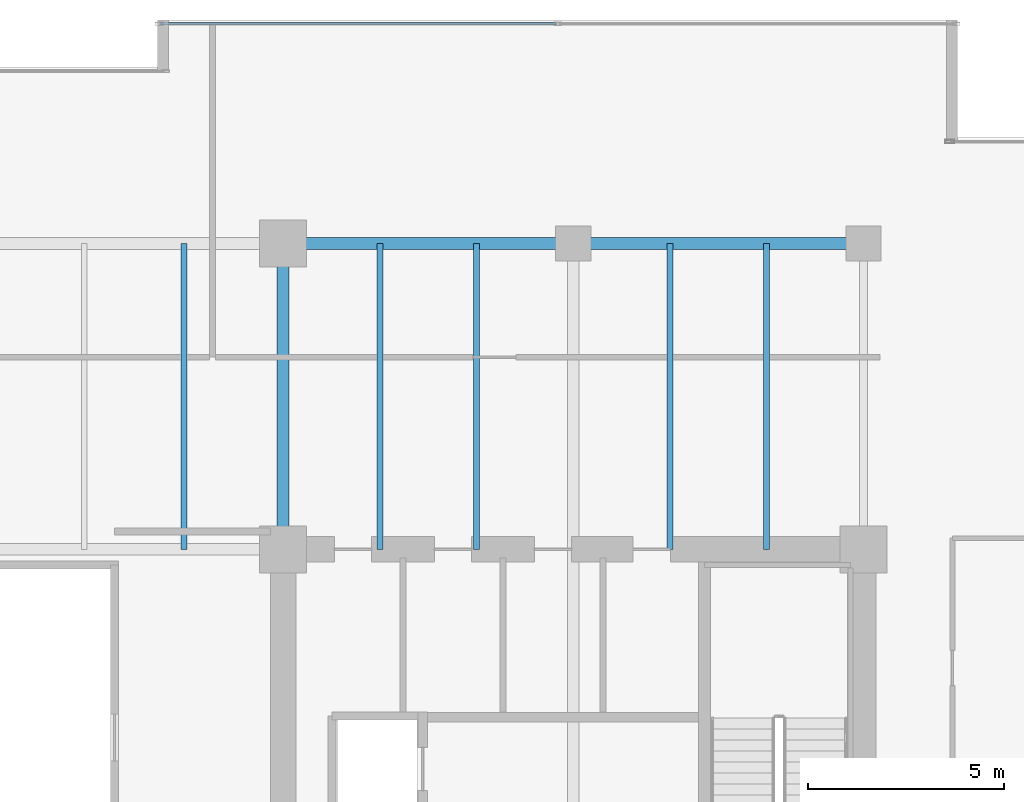
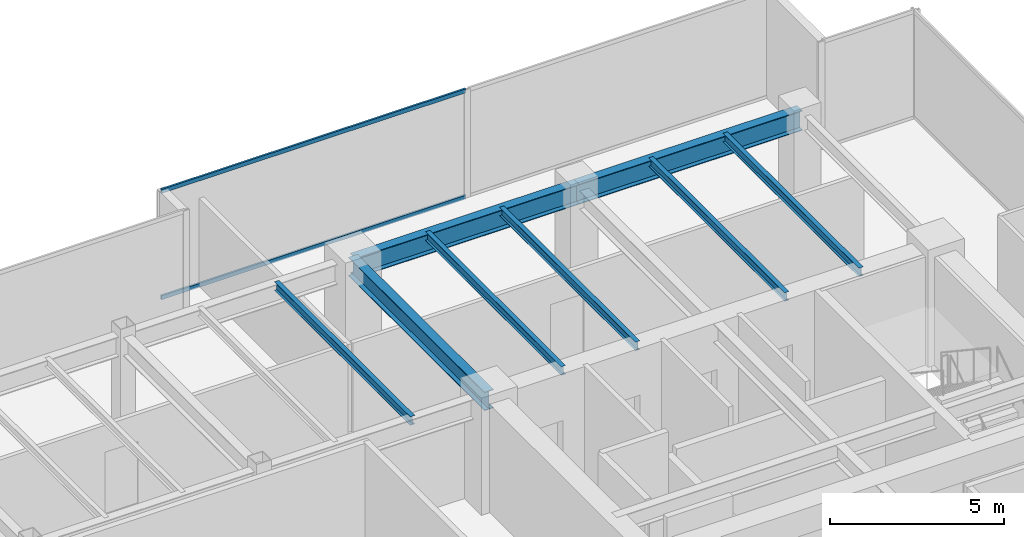
# One storey, part 19 of 30: 8 beams, 2 members, 1 element without a shape of its own.
"""IFC4 building model written with IfcOpenShell, lengths in metres."""

from ifc_helpers import new_model, si_unit, direction, frame, origin, origin_2d, place, context, subcontext, project, spatial, hollow_rectangle, i_section, extrude, source, transform, mapped, material, layer, layer_set, material_profile, profile_set, type_object, type_shapes, element, aggregate, save


model = new_model("IFC4")

# Units and contexts
model_context = context("Model", 3, precision=1e-05, world=origin(), true_north=direction((0.0, 1.0)))
body_context = subcontext(model_context, "Body", "Model", "MODEL_VIEW")
ifc_project = project(units=[si_unit("LENGTHUNIT", "METRE"), si_unit("AREAUNIT", "SQUARE_METRE"), si_unit("VOLUMEUNIT", "CUBIC_METRE"), si_unit("PLANEANGLEUNIT", "RADIAN"), si_unit("MASSUNIT", "GRAM", prefix="KILO")], contexts=[model_context])

# Site, building, storey
site_placement = place(None, origin())
site = spatial("IfcSite", under=ifc_project, at=site_placement, CompositionType="ELEMENT")
building_placement = place(site_placement, origin())
building = spatial("IfcBuilding", under=site, at=building_placement, Name="Haelvirn Gate Laboratories", CompositionType="ELEMENT")
storey_placement = place(building_placement, frame((0.0, 0.0, 121.5)))
storey = spatial("IfcBuildingStorey", under=building, at=storey_placement, Name="L29", CompositionType="ELEMENT", Elevation=121.5)

# Beams
ifc_material_1 = material(Name="Steel SM355", Category="steel")
ifc_material_profile_1 = material_profile(ifc_material_1, i_section(OverallWidth=0.300048828125, OverallDepth=0.64990234375, WebThickness=0.012939453125, FlangeThickness=0.02197265625, at=origin_2d()), Name="H-650x300x13x22")
ifc_profile_set_1 = profile_set([ifc_material_profile_1], Name="Steel SM355")
beam_type_1 = type_object("IfcBeamType", Name="BM-G-650", PredefinedType="BEAM", material=ifc_profile_set_1)
shared_shape_1 = source(origin(), body_context, "Body", "SweptSolid", [
    extrude(i_section(OverallWidth=0.300048828125, OverallDepth=0.64990234375, WebThickness=0.012939453125, FlangeThickness=0.02197265625, at=origin_2d()), origin(), (0.0, 0.0, 1.0), 7.800048828125),
])
type_shapes(beam_type_1, [shared_shape_1])
beam_placement = place(storey_placement, frame((52.60009765625, 33.800048828125, 3.465087890625), z_axis=(0.0, 1.0, 0.0), x_axis=(-1.0, 0.0, 0.0)))
element("IfcBeam", 1, at=beam_placement, inside=storey, type_object=beam_type_1, Name="L29 Frame Girder X52.6 (33.8-41.6)", PredefinedType="BEAM", context=body_context, shape_type="MappedRepresentation", body=[
    mapped(shared_shape_1, transform((0.0, 0.0, 0.0), scale=1.0)),
])
ifc_material_profile_2 = material_profile(ifc_material_1, i_section(OverallWidth=0.300048828125, OverallDepth=0.699951171875, WebThickness=0.012939453125, FlangeThickness=0.02392578125, at=origin_2d()), Name="H-700x300x13x24")
ifc_profile_set_2 = profile_set([ifc_material_profile_2], Name="Steel SM355")
beam_type_2 = type_object("IfcBeamType", Name="BM-G-700", PredefinedType="BEAM", material=ifc_profile_set_2)
shared_shape_2 = source(origin(), body_context, "Body", "SweptSolid", [
    extrude(i_section(OverallWidth=0.300048828125, OverallDepth=0.699951171875, WebThickness=0.012939453125, FlangeThickness=0.02392578125, at=origin_2d()), origin(), (0.0, 0.0, 1.0), 7.39990234375),
])
type_shapes(beam_type_2, [shared_shape_2])
for number, where, z_axis, x_axis, name in (
    (2, (52.60009765625, 41.60009765625, 3.43994140625), (1.0, 0.0, 0.0), (0.0, 1.0, 0.0), "L29 Primary Girder Y41.6 (52.6-60.0)"),
    (3, (60.0, 41.60009765625, 3.43994140625), (1.0, 0.0, 0.0), (0.0, 1.0, 0.0), "L29 Primary Girder Y41.6 (60.0-67.4)"),
):
    element("IfcBeam", number, at=place(storey_placement, frame(where, z_axis=z_axis, x_axis=x_axis)), inside=storey, type_object=beam_type_2, Name=name, PredefinedType="BEAM", context=body_context, shape_type="MappedRepresentation", body=[
        mapped(shared_shape_2, transform((0.0, 0.0, 0.0), scale=1.0)),
    ])
ifc_material_profile_3 = material_profile(ifc_material_1, i_section(OverallWidth=0.14990234375, OverallDepth=0.300048828125, WebThickness=0.006591796875, FlangeThickness=0.009033203125, at=origin_2d()), Name="H-300x150x6.5x9")
ifc_profile_set_3 = profile_set([ifc_material_profile_3], Name="Steel SM355")
beam_type_3 = type_object("IfcBeamType", Name="BM-J-300", PredefinedType="JOIST", material=ifc_profile_set_3)
shared_shape_3 = source(origin(), body_context, "Body", "SweptSolid", [
    extrude(i_section(OverallWidth=0.14990234375, OverallDepth=0.300048828125, WebThickness=0.006591796875, FlangeThickness=0.009033203125, at=origin_2d()), origin(), (0.0, 0.0, 1.0), 7.800048828125),
])
type_shapes(beam_type_3, [shared_shape_3])
for number, where, z_axis, x_axis, name in (
    (4, (50.070068359375, 33.800048828125, 3.639892578125), (0.0, 1.0, 0.0), (-1.0, 0.0, 0.0), "L29 Composite Lab Joist North X50.07"),
    (5, (55.070068359375, 33.800048828125, 3.639892578125), (0.0, 1.0, 0.0), (-1.0, 0.0, 0.0), "L29 Composite Lab Joist North X55.07"),
    (6, (57.530029296875, 33.800048828125, 3.639892578125), (0.0, 1.0, 0.0), (-1.0, 0.0, 0.0), "L29 Composite Lab Joist North X57.53"),
    (7, (62.469970703125, 33.800048828125, 3.639892578125), (0.0, 1.0, 0.0), (-1.0, 0.0, 0.0), "L29 Composite Lab Joist North X62.47"),
    (8, (64.929931640625, 33.800048828125, 3.639892578125), (0.0, 1.0, 0.0), (-1.0, 0.0, 0.0), "L29 Composite Lab Joist North X64.93"),
):
    element("IfcBeam", number, at=place(storey_placement, frame(where, z_axis=z_axis, x_axis=x_axis)), inside=storey, type_object=beam_type_3, Name=name, PredefinedType="JOIST", context=body_context, shape_type="MappedRepresentation", body=[
        mapped(shared_shape_3, transform((0.0, 0.0, 0.0), scale=1.0)),
    ])

# Curtain wall, members
ifc_material_2 = material(Name="Anodised bronze unitised aluminium & triple low-E glass", Category="aluminium")
ifc_layer = layer(ifc_material_2, 0.179931640625, Name="CW-SYS-3")
ifc_layer_set = layer_set([ifc_layer], Name="Anodised bronze unitised aluminium & triple low-E glass")
curtain_wall_type = type_object("IfcCurtainWallType", Name="CW-SYS-3", PredefinedType="NOTDEFINED", material=ifc_layer_set)
curtain_wall_placement = place(storey_placement, origin())
curtain_wall = element("IfcCurtainWall", 9, at=curtain_wall_placement, inside=storey, type_object=curtain_wall_type, Name="L29 Unitised Curtain Wall CW-L29-P0-E10-1", PredefinedType="NOTDEFINED")
ifc_material_3 = material(Name="Extruded aluminium 6063-T6 (anodised bronze)", Category="aluminium")
ifc_material_profile_4 = material_profile(ifc_material_3, hollow_rectangle(XDim=0.06494140625, YDim=0.139892578125, WallThickness=0.00390625, at=origin_2d()), Name="CWT-140x65x4")
ifc_profile_set_4 = profile_set([ifc_material_profile_4], Name="Extruded aluminium 6063-T6 (anodised bronze)")
member_type = type_object("IfcMemberType", Name="CWT-T140", PredefinedType="USERDEFINED", material=ifc_profile_set_4)
shared_shape_4 = source(origin(), body_context, "Body", "SweptSolid", [
    extrude(hollow_rectangle(XDim=0.06494140625, YDim=0.139892578125, WallThickness=0.00390625, at=origin_2d()), origin(), (0.0, 0.0, 1.0), 10.08740234375),
])
type_shapes(member_type, [shared_shape_4])
member_1_placement = place(storey_placement, frame((49.47509765625, 47.199951171875, 0.032470703125), z_axis=(1.0, 0.0, 0.0), x_axis=(0.0, 1.0, 0.0)))
member_1 = element("IfcMember", 10, at=member_1_placement, type_object=member_type, Name="CW3 transom 1.1", ObjectType="TRANSOM", PredefinedType="USERDEFINED", context=body_context, shape_type="MappedRepresentation", body=[
    mapped(shared_shape_4, transform((0.0, 0.0, 0.0), scale=1.0)),
])
member_2_placement = place(storey_placement, frame((49.47509765625, 47.199951171875, 3.757568359375), z_axis=(1.0, 0.0, 0.0), x_axis=(0.0, 1.0, 0.0)))
member_2 = element("IfcMember", 11, at=member_2_placement, type_object=member_type, Name="CW3 transom 1.2", ObjectType="TRANSOM", PredefinedType="USERDEFINED", context=body_context, shape_type="MappedRepresentation", body=[
    mapped(shared_shape_4, transform((0.0, 0.0, 0.0), scale=1.0)),
])
aggregate(curtain_wall, [member_1, member_2])

save(model, "model.ifc")
